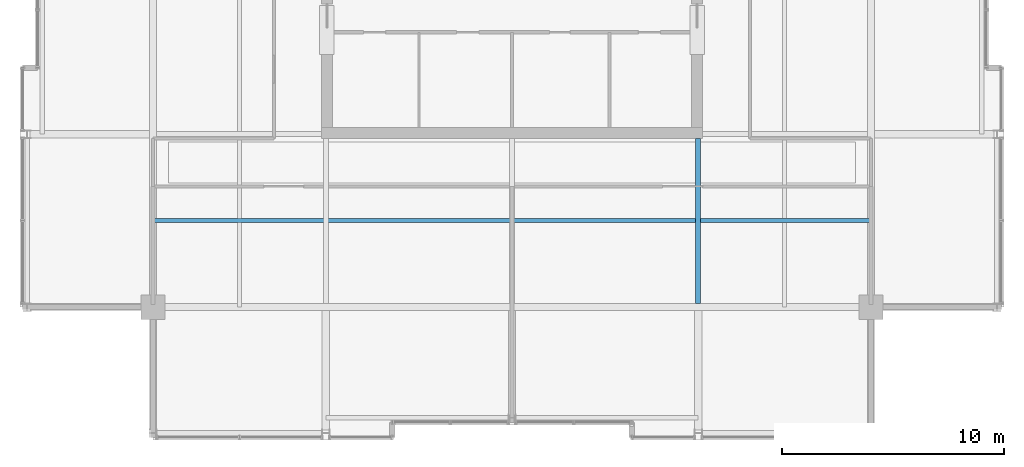
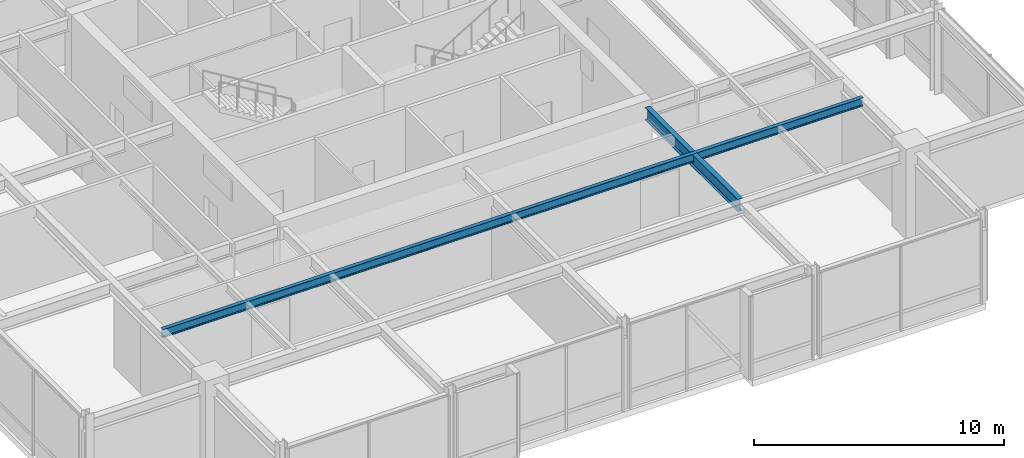
# One storey, part 11 of 34: 2 beams.
"""IFC4 building model written with IfcOpenShell, lengths in metres."""

import ifcopenshell
import ifcopenshell.guid

model = None  # the IFC model being written
_history = None  # IfcOwnerHistory: only IFC2X3 demands one
_inside = {}  # id of a spatial element -> (the spatial element, [elements in it])
_under = {}  # id of a project, library or spatial element -> (it, [spatial elements below it])
_declared = {}  # id of a project -> (the project, [libraries it declares])
_typed = {}  # id of a type object -> (the type object, [elements of that type])
_made_of = {}  # id of a material, layer set ... -> (it, [elements and type objects made of it])


def new_model(schema):
    """Start an empty IFC model of exactly this schema.

    Asked for "IFC4X3", IfcOpenShell would pick the latest addendum, in which some entities
    have other attributes; the version numbers below select the first issue.
    IFC2X3 requires an IfcOwnerHistory on every rooted entity: one is made here for all.
    """
    global model, _history
    if schema == "IFC4X3":
        model = ifcopenshell.file(schema_version=(4, 3, 0, 0))
    else:
        model = ifcopenshell.file(schema=schema)
    _inside.clear()
    _under.clear()
    _declared.clear()
    _typed.clear()
    _made_of.clear()
    _history = None
    if model.schema == "IFC2X3":
        org = make("IfcOrganization", Name="unknown")
        user = make(
            "IfcPersonAndOrganization",
            ThePerson=make("IfcPerson", FamilyName="unknown"),
            TheOrganization=org,
        )
        app = make(
            "IfcApplication",
            ApplicationDeveloper=org,
            Version="unknown",
            ApplicationFullName="unknown",
            ApplicationIdentifier="unknown",
        )
        _history = make(
            "IfcOwnerHistory",
            OwningUser=user,
            OwningApplication=app,
            ChangeAction="ADDED",
            CreationDate=0,
        )
    return model


def make(cls, **values):
    """One entity of the class cls with the attributes given. An attribute that is None is left unset."""
    return model.create_entity(
        cls, **{name: value for name, value in values.items() if value is not None}
    )


def rooted(cls, **values):
    """An entity with a GlobalId (a new one), such as an element, a storey or a relation."""
    return make(cls, GlobalId=ifcopenshell.guid.new(), OwnerHistory=_history, **values)


def si_unit(unit_type, name, prefix=None):
    """IfcSIUnit, for example si_unit("LENGTHUNIT", "METRE", prefix="MILLI")."""
    return make("IfcSIUnit", UnitType=unit_type, Prefix=prefix, Name=name)


def assignment(units):
    """IfcUnitAssignment: the units of a project."""
    return None if units is None else make("IfcUnitAssignment", Units=units)


def point(xyz):
    """IfcCartesianPoint."""
    return None if xyz is None else make("IfcCartesianPoint", Coordinates=xyz)


def direction(xyz):
    """IfcDirection."""
    return None if xyz is None else make("IfcDirection", DirectionRatios=xyz)


def frame(location, z_axis=None, x_axis=None):
    """IfcAxis2Placement3D, a coordinate frame: its origin and axes. An axis left out is left unset."""
    return make(
        "IfcAxis2Placement3D",
        Location=point(location),
        Axis=direction(z_axis),
        RefDirection=direction(x_axis),
    )


def frame_2d(location, x_axis=None):
    """IfcAxis2Placement2D, a coordinate frame in the plane: its origin and x axis."""
    return make(
        "IfcAxis2Placement2D", Location=point(location), RefDirection=direction(x_axis)
    )


def origin():
    """The frame at (0, 0, 0) with its axes left unset."""
    return frame((0.0, 0.0, 0.0))


def origin_2d():
    """The frame at (0, 0) in the plane with its x axis left unset."""
    return frame_2d((0.0, 0.0))


def place(relative_to, where):
    """IfcLocalPlacement: puts the frame where relative to a parent placement (None: the world)."""
    return make(
        "IfcLocalPlacement", PlacementRelTo=relative_to, RelativePlacement=where
    )


def context(
    kind, dimensions, precision=None, world=None, true_north=None, identifier=None
):
    """IfcGeometricRepresentationContext, for example the 3D "Model" context."""
    return make(
        "IfcGeometricRepresentationContext",
        ContextIdentifier=identifier,
        ContextType=kind,
        CoordinateSpaceDimension=dimensions,
        Precision=precision,
        WorldCoordinateSystem=world,
        TrueNorth=true_north,
    )


def subcontext(parent, identifier, kind, view, scale=None):
    """IfcGeometricRepresentationSubContext, for example "Body" below "Model"."""
    return make(
        "IfcGeometricRepresentationSubContext",
        ContextIdentifier=identifier,
        ContextType=kind,
        ParentContext=parent,
        TargetScale=scale,
        TargetView=view,
    )


def project(units=None, contexts=None):
    """IfcProject with its units and contexts."""
    return rooted(
        "IfcProject",
        Name="project",
        RepresentationContexts=contexts,
        UnitsInContext=assignment(units),
    )


def spatial(cls, under=None, at=None, **own):
    """A site, building, storey or space (cls), placed at a placement, below another one or the project."""
    s = rooted(cls, ObjectPlacement=at, **own)
    if under is not None:
        _under.setdefault(under.id(), (under, []))[1].append(s)
    return s


def profile(cls, at=None, kind="AREA", **sizes):
    """A parametric profile (cls). Its sizes go by their IFC names, for example OverallWidth=200.0."""
    return make(cls, ProfileType=kind, Position=at, **sizes)


def i_section(**sizes):
    """IfcIShapeProfileDef."""
    return profile("IfcIShapeProfileDef", **sizes)


def extrude(swept, where, along, depth):
    """IfcExtrudedAreaSolid: the profile swept, set in the frame where, extruded along a direction by depth."""
    return make(
        "IfcExtrudedAreaSolid",
        SweptArea=swept,
        Position=where,
        ExtrudedDirection=direction(along),
        Depth=depth,
    )


def shape(context_of_items, identifier, shape_type, items):
    """IfcShapeRepresentation: the items that make up one representation, for example the "Body"."""
    return make(
        "IfcShapeRepresentation",
        ContextOfItems=context_of_items,
        RepresentationIdentifier=identifier,
        RepresentationType=shape_type,
        Items=items,
    )


def material(Name=None, Category=None):
    """IfcMaterial."""
    return make("IfcMaterial", Name=Name, Category=Category)


def material_profile(
    of_material, cross_section, Name=None, Category=None, Priority=None
):
    """IfcMaterialProfile: a cross section and its material."""
    return make(
        "IfcMaterialProfile",
        Name=Name,
        Material=of_material,
        Profile=cross_section,
        Priority=Priority,
        Category=Category,
    )


def profile_set(profiles, Name=None, composite=None):
    """IfcMaterialProfileSet."""
    return make(
        "IfcMaterialProfileSet",
        Name=Name,
        MaterialProfiles=profiles,
        CompositeProfile=composite,
    )


def made_of(thing, what):
    """Note that an element or type object is made of a material, layer set ...; save() writes the relation."""
    if what is not None:
        _made_of.setdefault(what.id(), (what, []))[1].append(thing)
    return thing


def type_object(cls, material=None, **own):
    """A type object (cls), such as IfcWallType, which elements share."""
    return made_of(rooted(cls, **own), material)


def element(
    cls,
    number,
    at=None,
    inside=None,
    cuts=None,
    type_object=None,
    material=None,
    context=None,
    identifier="Body",
    shape_type=None,
    held_by="IfcProductDefinitionShape",
    body=None,
    shapes=None,
    **own,
):
    """One element of the class cls, such as IfcWall. Its Tag is "e" and its number.

    at: its placement. inside: the storey or other place that contains it. cuts: it is an
    opening in that element (IfcRelVoidsElement). A single representation is given by context,
    identifier, shape_type and body (its items); several are given by shapes. held_by: the class
    of the entity that holds the representations. save() writes the other relations.
    """
    e = rooted(cls, Tag="e%d" % number, ObjectPlacement=at, **own)
    if body is not None:
        shapes = [shape(context, identifier, shape_type, body)]
    if shapes is not None:
        e.Representation = make(held_by, Representations=shapes)
    if inside is not None:
        _inside.setdefault(inside.id(), (inside, []))[1].append(e)
    if cuts is not None:
        rooted(
            "IfcRelVoidsElement", RelatingBuildingElement=cuts, RelatedOpeningElement=e
        )
    if type_object is not None:
        _typed.setdefault(type_object.id(), (type_object, []))[1].append(e)
    return made_of(e, material)


def aggregate(whole, parts):
    """IfcRelAggregates: a whole, such as a stair, and the parts it consists of."""
    return rooted("IfcRelAggregates", RelatingObject=whole, RelatedObjects=parts)


def save(model, path):
    """Write the relations noted so far, then the file.

    IfcRelAggregates (storeys below a building ...), IfcRelContainedInSpatialStructure (elements
    in a storey), IfcRelDefinesByType, IfcRelAssociatesMaterial and IfcRelDeclares: one each for
    every whole, place, type object, material and project.
    """
    for whole, parts in _under.values():
        aggregate(whole, parts)
    for where, things in _inside.values():
        rooted(
            "IfcRelContainedInSpatialStructure",
            RelatedElements=things,
            RelatingStructure=where,
        )
    for kind, things in _typed.values():
        rooted("IfcRelDefinesByType", RelatedObjects=things, RelatingType=kind)
    for what, things in _made_of.values():
        rooted("IfcRelAssociatesMaterial", RelatedObjects=things, RelatingMaterial=what)
    for by, libraries in _declared.values():
        rooted("IfcRelDeclares", RelatingContext=by, RelatedDefinitions=libraries)
    model.write(path)


model = new_model("IFC4")

# Units and contexts
model_context = context("Model", 3, precision=1e-05, world=origin(), true_north=direction((0.0, 1.0)))
body_context = subcontext(model_context, "Body", "Model", "MODEL_VIEW")
ifc_project = project(units=[si_unit("LENGTHUNIT", "METRE"), si_unit("AREAUNIT", "SQUARE_METRE"), si_unit("VOLUMEUNIT", "CUBIC_METRE"), si_unit("PLANEANGLEUNIT", "RADIAN"), si_unit("MASSUNIT", "GRAM", prefix="KILO")], contexts=[model_context])

# Site, building, storey
site_placement = place(None, origin())
site = spatial("IfcSite", under=ifc_project, at=site_placement, CompositionType="ELEMENT")
building_placement = place(site_placement, origin())
building = spatial("IfcBuilding", under=site, at=building_placement, Name="Drelvath Grand Hotel", CompositionType="ELEMENT")
storey_placement = place(building_placement, frame((0.0, 0.0, 294.199951171875)))
storey = spatial("IfcBuildingStorey", under=building, at=storey_placement, Name="L77", CompositionType="ELEMENT", Elevation=294.199951171875)

# Beams
ifc_material = material(Name="Steel ASTM A992 Gr 50", Category="steel")
ifc_material_profile_1 = material_profile(ifc_material, i_section(OverallWidth=0.177734375, OverallDepth=0.40673828125, WebThickness=0.0078125, FlangeThickness=0.0126953125, FilletRadius=0.014892578125, at=origin_2d()), Name="W16X40")
ifc_profile_set_1 = profile_set([ifc_material_profile_1], Name="Steel ASTM A992 Gr 50")
beam_type_1 = type_object("IfcBeamType", Name="Composite Floor Joist W16X40", PredefinedType="JOIST", material=ifc_profile_set_1)
beam_1_placement = place(storey_placement, frame((-16.199951171875, 14.699951171875, 3.896728515625), z_axis=(1.0, 0.0, 0.0), x_axis=(0.0, 1.0, 0.0)))
element("IfcBeam", 1, at=beam_1_placement, inside=storey, type_object=beam_type_1, Name="L77 Floor Joist J1", PredefinedType="JOIST", context=body_context, shape_type="SweptSolid", body=[
    extrude(i_section(OverallWidth=0.177734375, OverallDepth=0.40673828125, WebThickness=0.0078125, FlangeThickness=0.0126953125, FilletRadius=0.014892578125, at=origin_2d()), origin(), (0.0, 0.0, 1.0), 32.39990234375),
])
ifc_material_profile_2 = material_profile(ifc_material, i_section(OverallWidth=0.228271484375, OverallDepth=0.607666015625, WebThickness=0.01123046875, FlangeThickness=0.017333984375, FilletRadius=0.02001953125, at=origin_2d()), Name="W24X76")
ifc_profile_set_2 = profile_set([ifc_material_profile_2], Name="Steel ASTM A992 Gr 50")
beam_type_2 = type_object("IfcBeamType", Name="Primary Floor Girder W24X76", PredefinedType="BEAM", material=ifc_profile_set_2)
beam_2_placement = place(storey_placement, frame((8.39990234375, 10.9619140625, 3.796142578125), z_axis=(0.0, 1.0, 0.0), x_axis=(-1.0, 0.0, 0.0)))
element("IfcBeam", 2, at=beam_2_placement, inside=storey, type_object=beam_type_2, Name="L77 South Core Tie 6", PredefinedType="BEAM", context=body_context, shape_type="SweptSolid", body=[
    extrude(i_section(OverallWidth=0.228271484375, OverallDepth=0.607666015625, WebThickness=0.01123046875, FlangeThickness=0.017333984375, FilletRadius=0.02001953125, at=origin_2d()), origin(), (0.0, 0.0, 1.0), 7.43798828125),
])

save(model, "model.ifc")
